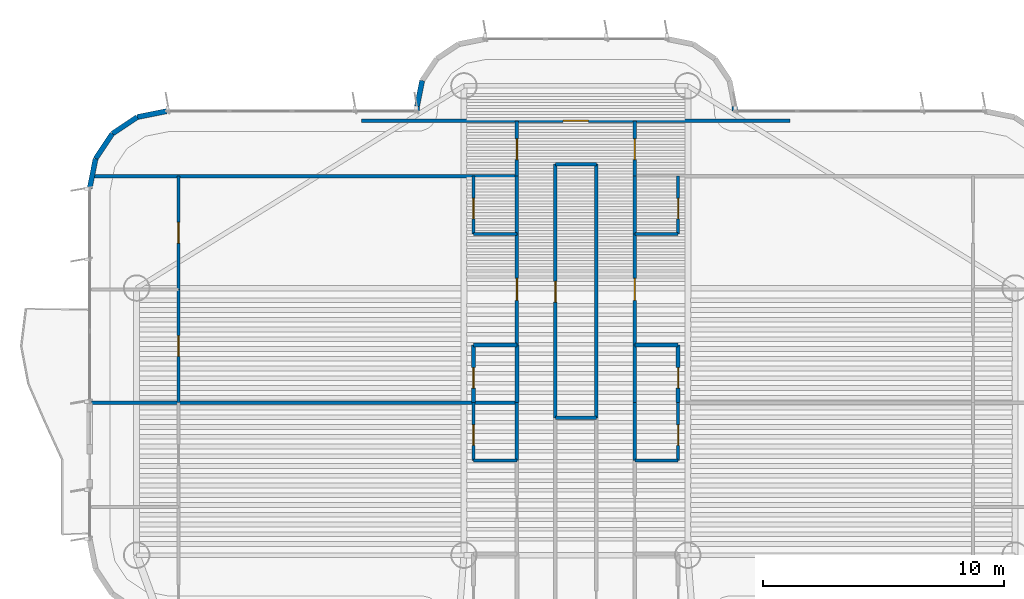
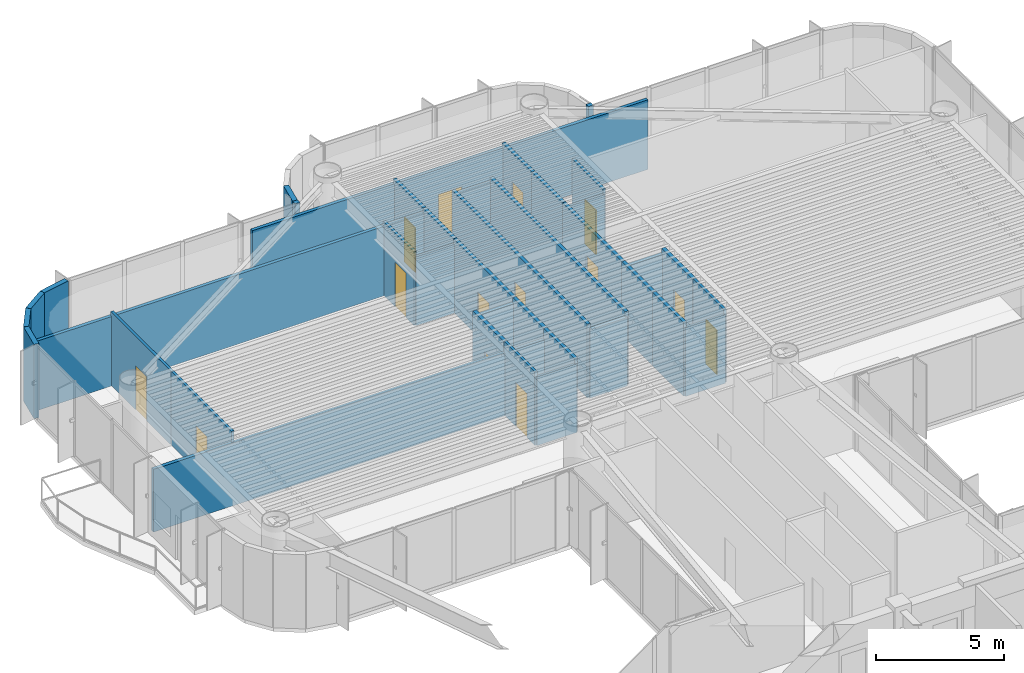
# One storey, part 11 of 15: 38 walls, 14 doors, 14 openings.
"""IFC4 building model written with IfcOpenShell, lengths in metres."""

from ifc_helpers import new_model, si_unit, direction, frame, frame_2d, origin, origin_2d, place, context, subcontext, project, spatial, rectangle, extrude, source, transform, mapped, material, layer, layer_set, type_object, element, fill, save


model = new_model("IFC4")

# Units and contexts
model_context = context("Model", 3, precision=1e-05, world=origin(), true_north=direction((0.0, 1.0)))
body_context = subcontext(model_context, "Body", "Model", "MODEL_VIEW")
ifc_project = project(units=[si_unit("LENGTHUNIT", "METRE"), si_unit("AREAUNIT", "SQUARE_METRE"), si_unit("VOLUMEUNIT", "CUBIC_METRE"), si_unit("PLANEANGLEUNIT", "RADIAN"), si_unit("MASSUNIT", "GRAM", prefix="KILO")], contexts=[model_context])

# Site, building, storey
site_placement = place(None, origin())
site = spatial("IfcSite", under=ifc_project, at=site_placement, CompositionType="ELEMENT")
building_placement = place(site_placement, origin())
building = spatial("IfcBuilding", under=site, at=building_placement, Name="Brelvock Crest Care Tower", CompositionType="ELEMENT")
storey_placement = place(building_placement, frame((0.0, 0.0, 163.97998046875)))
storey = spatial("IfcBuildingStorey", under=building, at=storey_placement, Name="L41", CompositionType="ELEMENT", Elevation=163.97998046875)

# Walls
ifc_material_1 = material(Name="Precast concrete N40 (40 MPa)", Category="concrete")
ifc_layer_1 = layer(ifc_material_1, 0.215087890625, Name="WL-EX2")
ifc_layer_set_1 = layer_set([ifc_layer_1], Name="Precast concrete N40 (40 MPa)")
wall_type_1 = type_object("IfcWallType", Name="WL-EX2", PredefinedType="SOLIDWALL", material=ifc_layer_set_1)
for number, where, z_axis, x_axis, name in (
    (1, (15.800048828125, 50.199951171875, 0.0), (0.0, 0.0, 1.0), (0.195138390419, 0.980775717779, 0.0), "L41 Rounded Corner Wall 18"),
    (2, (16.043701171875, 51.424560546875, 0.0), (0.0, 0.0, 1.0), (0.555557312883, 0.831478245117, 0.0), "L41 Rounded Corner Wall 19"),
    (3, (16.7373046875, 52.462646484375, 0.0), (0.0, 0.0, 1.0), (0.831387912822, 0.555692485475, 0.0), "L41 Rounded Corner Wall 20"),
    (4, (17.775390625, 53.156494140625, 0.0), (0.0, 0.0, 1.0), (0.980813122964, 0.194950295773, 0.0), "L41 Rounded Corner Wall 21"),
):
    element("IfcWall", number, at=place(storey_placement, frame(where, z_axis=z_axis, x_axis=x_axis)), inside=storey, type_object=wall_type_1, Name=name, PredefinedType="SOLIDWALL", context=body_context, shape_type="SweptSolid", body=[
        extrude(rectangle(XDim=1.24853515625, YDim=0.215087890625, at=frame_2d((0.624267578125, 0.0))), origin(), (0.0, 0.0, 1.0), 3.530029296875),
    ])
wall_1_placement = place(storey_placement, frame((29.39990234375, 53.39990234375, 0.0), z_axis=(0.0, 0.0, 1.0), x_axis=(0.0, 1.0, 0.0)))
element("IfcWall", 5, at=wall_1_placement, inside=storey, type_object=wall_type_1, Name="L41 Rounded Corner Wall 23", PredefinedType="SOLIDWALL", context=body_context, shape_type="SweptSolid", body=[
    extrude(rectangle(XDim=0.2001953125, YDim=0.215087890625, at=frame_2d((0.10009765625, 0.0))), origin(), (0.0, 0.0, 1.0), 3.530029296875),
])
wall_2_placement = place(storey_placement, frame((29.39990234375, 53.60009765625, 0.0), z_axis=(0.0, 0.0, 1.0), x_axis=(0.195127417394, 0.980777900945, 0.0)))
element("IfcWall", 6, at=wall_2_placement, inside=storey, type_object=wall_type_1, Name="L41 Rounded Corner Wall 24", PredefinedType="SOLIDWALL", context=body_context, shape_type="SweptSolid", body=[
    extrude(rectangle(XDim=1.09228515625, YDim=0.215087890625, at=frame_2d((0.546142578125, 0.0))), origin(), (0.0, 0.0, 1.0), 3.530029296875),
])
wall_3_placement = place(storey_placement, frame((42.60009765625, 53.60009765625, 0.0), z_axis=(0.0, 0.0, 1.0), x_axis=(0.0, -1.0, 0.0)))
element("IfcWall", 7, at=wall_3_placement, inside=storey, type_object=wall_type_1, Name="L41 Rounded Corner Wall 33", PredefinedType="SOLIDWALL", context=body_context, shape_type="SweptSolid", body=[
    extrude(rectangle(XDim=0.2001953125, YDim=0.215087890625, at=frame_2d((0.10009765625, 0.0))), origin(), (0.0, 0.0, 1.0), 3.530029296875),
])
ifc_material_2 = material(Name="Masonry Blockwork Acoustic Partition", Category="masonry")
ifc_layer_2 = layer(ifc_material_2, 0.14990234375, Name="WL-INT1")
ifc_layer_set_2 = layer_set([ifc_layer_2], Name="Masonry Blockwork Acoustic Partition")
wall_type_2 = type_object("IfcWallType", Name="WL-INT1", PredefinedType="PARTITIONING", material=ifc_layer_set_2)
wall_4_placement = place(storey_placement, frame((35.14990234375, 40.659912109375, 0.0), z_axis=(0.0, 0.0, 1.0), x_axis=(1.0, 0.0, 0.0)))
element("IfcWall", 8, at=wall_4_placement, inside=storey, type_object=wall_type_2, Name="L41 Interior Wall WL-BX-L41-ISKT-S", PredefinedType="PARTITIONING", context=body_context, shape_type="SweptSolid", body=[
    extrude(rectangle(XDim=1.7001953125, YDim=0.14990234375, at=frame_2d((0.85009765625, 0.0))), origin(), (0.0, 0.0, 1.0), 3.259033203125),
])
wall_5_placement = place(storey_placement, frame((15.8798828125, 41.2880859375, 0.0), z_axis=(0.0, 0.0, 1.0), x_axis=(1.0, 0.0, 0.0)))
element("IfcWall", 9, at=wall_5_placement, inside=storey, type_object=wall_type_2, Name="L41 Interior Wall WL-BX-L41-FL-WF1-N", PredefinedType="PARTITIONING", context=body_context, shape_type="SweptSolid", body=[
    extrude(rectangle(XDim=17.670166015625, YDim=0.14990234375, at=frame_2d((8.8349609375, 0.0))), origin(), (0.0, 0.0, 1.0), 2.98193359375),
])
wall_6_placement = place(storey_placement, frame((15.98095703125, 50.699951171875, 0.0), z_axis=(0.0, 0.0, 1.0), x_axis=(1.0, 0.0, 0.0)))
element("IfcWall", 10, at=wall_6_placement, inside=storey, type_object=wall_type_2, Name="L41 Interior Wall WL-BX-L41-FL-WF2-N", PredefinedType="PARTITIONING", context=body_context, shape_type="SweptSolid", body=[
    extrude(rectangle(XDim=17.569091796875, YDim=0.14990234375, at=frame_2d((8.78466796875, 0.0))), origin(), (0.0, 0.0, 1.0), 3.30810546875),
])
wall_7_placement = place(storey_placement, frame((35.14990234375, 51.199951171875, 0.0), z_axis=(0.0, 0.0, 1.0), x_axis=(1.0, 0.0, 0.0)))
element("IfcWall", 11, at=wall_7_placement, inside=storey, type_object=wall_type_2, Name="L41 Interior Wall WL-BX-L41-ISKT-N", PredefinedType="PARTITIONING", context=body_context, shape_type="SweptSolid", body=[
    extrude(rectangle(XDim=1.7001953125, YDim=0.14990234375, at=frame_2d((0.85009765625, 0.0))), origin(), (0.0, 0.0, 1.0), 3.30810546875),
])

# Wall, opening, door
wall_8_placement = place(storey_placement, frame((27.10009765625, 53.0, 0.0), z_axis=(0.0, 0.0, 1.0), x_axis=(1.0, 0.0, 0.0)))
wall_8 = element("IfcWall", 12, at=wall_8_placement, inside=storey, type_object=wall_type_2, Name="L41 Interior Wall WL-RM-L41-NHUB", PredefinedType="PARTITIONING", context=body_context, shape_type="SweptSolid", body=[
    extrude(rectangle(XDim=17.7998046875, YDim=0.14990234375, at=frame_2d((8.89990234375, 0.0))), origin(), (0.0, 0.0, 1.0), 3.30810546875),
])
opening_1_placement = place(wall_8_placement, frame((8.375, 0.0, 0.0)))
opening_1 = element("IfcOpeningElement", 13, at=opening_1_placement, cuts=wall_8, Name="Opening CLD-1", PredefinedType="OPENING", context=body_context, shape_type="SweptSolid", body=[
    extrude(rectangle(XDim=1.050048828125, YDim=2.10009765625, at=origin_2d()), frame((0.52490234375, 0.0849609375, 1.050048828125), z_axis=(0.0, -1.0, 0.0), x_axis=(1.0, 0.0, 0.0)), (0.0, 0.0, 1.0), 0.169921875),
])
ifc_material_3 = material(Name="Engineered Hardwood Timber", Category="wood")
door_type_1 = type_object("IfcDoorType", Name="DR-CLN1", OperationType="NOTDEFINED", PredefinedType="DOOR", material=ifc_material_3)
shared_shape_1 = source(origin(), body_context, "Body", "SweptSolid", [
    extrude(rectangle(XDim=1.050048828125, YDim=2.10009765625, at=origin_2d()), frame((0.52490234375, 0.02490234375, 1.050048828125), z_axis=(0.0, -1.0, 0.0), x_axis=(1.0, 0.0, 0.0)), (0.0, 0.0, 1.0), 0.050048828125),
])
door_1_placement = place(opening_1_placement, origin())
door_1 = element("IfcDoor", 14, at=door_1_placement, inside=storey, type_object=door_type_1, Name="L41 North Crest Conservatory Lounge Door NHUB", OperationType="SINGLE_SWING_LEFT", OverallHeight=2.10009765625, OverallWidth=1.050048828125, PredefinedType="DOOR", context=body_context, shape_type="MappedRepresentation", body=[
    mapped(shared_shape_1, transform((0.0, 0.0, 0.0), x_axis=(1.0, 0.0, 0.0), y_axis=(0.0, 1.0, 0.0), z_axis=(0.0, 0.0, 1.0), scale=1.0)),
])
fill(opening_1, door_1)

# Wall
wall_9_placement = place(storey_placement, frame((33.550048828125, 38.887939453125, 0.0), z_axis=(0.0, 0.0, 1.0), x_axis=(0.0, 1.0, 0.0)))
element("IfcWall", 15, at=wall_9_placement, inside=storey, type_object=wall_type_2, Name="L41 Interior Wall WL-UCK-L41-WF1", PredefinedType="PARTITIONING", context=body_context, shape_type="SweptSolid", body=[
    extrude(rectangle(XDim=2.400146484375, YDim=0.14990234375, at=frame_2d((1.2001953125, 0.0))), origin(), (0.0, 0.0, 1.0), 3.5),
])

# Wall, opening, door
wall_10_placement = place(storey_placement, frame((33.550048828125, 43.68798828125, 0.0), z_axis=(0.0, 0.0, 1.0), x_axis=(0.0, 1.0, 0.0)))
wall_10 = element("IfcWall", 16, at=wall_10_placement, inside=storey, type_object=wall_type_2, Name="L41 Interior Wall WL-UENT-L41-WF2", PredefinedType="PARTITIONING", context=body_context, shape_type="SweptSolid", body=[
    extrude(rectangle(XDim=4.612060546875, YDim=0.14990234375, at=frame_2d((2.30615234375, 0.0))), origin(), (0.0, 0.0, 1.0), 3.5),
])
opening_2_placement = place(wall_10_placement, frame((1.845947265625, 0.0, 0.0)))
opening_2 = element("IfcOpeningElement", 17, at=opening_2_placement, cuts=wall_10, Name="Opening AD-1", PredefinedType="OPENING", context=body_context, shape_type="SweptSolid", body=[
    extrude(rectangle(XDim=0.919921875, YDim=2.10009765625, at=origin_2d()), frame((0.4599609375, 0.0849609375, 1.050048828125), z_axis=(0.0, -1.0, 0.0), x_axis=(1.0, 0.0, 0.0)), (0.0, 0.0, 1.0), 0.169921875),
])
door_type_2 = type_object("IfcDoorType", Name="DR-APT1", OperationType="NOTDEFINED", PredefinedType="DOOR", material=ifc_material_3)
shared_shape_2 = source(origin(), body_context, "Body", "SweptSolid", [
    extrude(rectangle(XDim=0.919921875, YDim=2.10009765625, at=origin_2d()), frame((0.4599609375, 0.02490234375, 1.050048828125), z_axis=(0.0, -1.0, 0.0), x_axis=(1.0, 0.0, 0.0)), (0.0, 0.0, 1.0), 0.050048828125),
])
door_2_placement = place(opening_2_placement, origin())
door_2 = element("IfcDoor", 18, at=door_2_placement, inside=storey, type_object=door_type_2, Name="L41 Apartment Entrance WF2", OperationType="SINGLE_SWING_LEFT", OverallHeight=2.10009765625, OverallWidth=0.919921875, PredefinedType="DOOR", context=body_context, shape_type="MappedRepresentation", body=[
    mapped(shared_shape_2, transform((0.0, 0.0, 0.0), x_axis=(1.0, 0.0, 0.0), y_axis=(0.0, 1.0, 0.0), z_axis=(0.0, 0.0, 1.0), scale=1.0)),
])
fill(opening_2, door_2)

# Wall
wall_11_placement = place(storey_placement, frame((33.550048828125, 48.300048828125, 0.0), z_axis=(0.0, 0.0, 1.0), x_axis=(0.0, 1.0, 0.0)))
element("IfcWall", 19, at=wall_11_placement, inside=storey, type_object=wall_type_2, Name="L41 Interior Wall WL-UCK-L41-WF2", PredefinedType="PARTITIONING", context=body_context, shape_type="SweptSolid", body=[
    extrude(rectangle(XDim=2.39990234375, YDim=0.14990234375, at=frame_2d((1.199951171875, 0.0))), origin(), (0.0, 0.0, 1.0), 3.5),
])

# Wall, opening, door
wall_12_placement = place(storey_placement, frame((33.550048828125, 50.699951171875, 0.0), z_axis=(0.0, 0.0, 1.0), x_axis=(0.0, 1.0, 0.0)))
wall_12 = element("IfcWall", 20, at=wall_12_placement, inside=storey, type_object=wall_type_2, Name="L41 Interior Wall WL-RM-L41-NALW", PredefinedType="PARTITIONING", context=body_context, shape_type="SweptSolid", body=[
    extrude(rectangle(XDim=2.300048828125, YDim=0.14990234375, at=frame_2d((1.14990234375, 0.0))), origin(), (0.0, 0.0, 1.0), 3.5),
])
opening_3_placement = place(wall_12_placement, frame((0.68994140625, 0.0, 0.0)))
opening_3 = element("IfcOpeningElement", 21, at=opening_3_placement, cuts=wall_12, Name="Opening ID-1", PredefinedType="OPENING", context=body_context, shape_type="SweptSolid", body=[
    extrude(rectangle(XDim=0.860107421875, YDim=2.10009765625, at=origin_2d()), frame((0.43017578125, 0.0849609375, 1.050048828125), z_axis=(0.0, -1.0, 0.0), x_axis=(1.0, 0.0, 0.0)), (0.0, 0.0, 1.0), 0.169921875),
])
door_type_3 = type_object("IfcDoorType", Name="DR-INT1", OperationType="NOTDEFINED", PredefinedType="DOOR", material=ifc_material_3)
shared_shape_3 = source(origin(), body_context, "Body", "SweptSolid", [
    extrude(rectangle(XDim=0.860107421875, YDim=2.10009765625, at=origin_2d()), frame((0.43017578125, 0.02490234375, 1.050048828125), z_axis=(0.0, -1.0, 0.0), x_axis=(1.0, 0.0, 0.0)), (0.0, 0.0, 1.0), 0.050048828125),
])
door_3_placement = place(opening_3_placement, origin())
door_3 = element("IfcDoor", 22, at=door_3_placement, inside=storey, type_object=door_type_3, Name="L41 North West Sun Alcove Door NALW", OperationType="SINGLE_SWING_LEFT", OverallHeight=2.10009765625, OverallWidth=0.860107421875, PredefinedType="DOOR", context=body_context, shape_type="MappedRepresentation", body=[
    mapped(shared_shape_3, transform((0.0, 0.0, 0.0), x_axis=(1.0, 0.0, 0.0), y_axis=(0.0, 1.0, 0.0), z_axis=(0.0, 0.0, 1.0), scale=1.0)),
])
fill(opening_3, door_3)

wall_13_placement = place(storey_placement, frame((35.14990234375, 40.659912109375, 0.0), z_axis=(0.0, 0.0, 1.0), x_axis=(0.0, 1.0, 0.0)))
wall_13 = element("IfcWall", 23, at=wall_13_placement, inside=storey, type_object=wall_type_2, Name="L41 Interior Wall WL-RM-L41-ISKT", PredefinedType="PARTITIONING", context=body_context, shape_type="SweptSolid", body=[
    extrude(rectangle(XDim=10.5400390625, YDim=0.14990234375, at=frame_2d((5.27001953125, 0.0))), origin(), (0.0, 0.0, 1.0), 3.5),
])
opening_4_placement = place(wall_13_placement, frame((4.81005859375, 0.0, 0.0)))
opening_4 = element("IfcOpeningElement", 24, at=opening_4_placement, cuts=wall_13, Name="Opening ID-1", PredefinedType="OPENING", context=body_context, shape_type="SweptSolid", body=[
    extrude(rectangle(XDim=0.860107421875, YDim=2.10009765625, at=origin_2d()), frame((0.43017578125, 0.0849609375, 1.050048828125), z_axis=(0.0, -1.0, 0.0), x_axis=(1.0, 0.0, 0.0)), (0.0, 0.0, 1.0), 0.169921875),
])
door_4_placement = place(opening_4_placement, origin())
door_4 = element("IfcDoor", 25, at=door_4_placement, inside=storey, type_object=door_type_3, Name="L41 Communal Tea and Nutrition Pantry Door ISKT", OperationType="SINGLE_SWING_LEFT", OverallHeight=2.10009765625, OverallWidth=0.860107421875, PredefinedType="DOOR", context=body_context, shape_type="MappedRepresentation", body=[
    mapped(shared_shape_3, transform((0.0, 0.0, 0.0), x_axis=(1.0, 0.0, 0.0), y_axis=(0.0, 1.0, 0.0), z_axis=(0.0, 0.0, 1.0), scale=1.0)),
])
fill(opening_4, door_4)

# Walls
wall_14_placement = place(storey_placement, frame((36.85009765625, 40.659912109375, 0.0), z_axis=(0.0, 0.0, 1.0), x_axis=(0.0, 1.0, 0.0)))
element("IfcWall", 26, at=wall_14_placement, inside=storey, type_object=wall_type_2, Name="L41 Interior Wall WL-BX-L41-ISKT-E", PredefinedType="PARTITIONING", context=body_context, shape_type="SweptSolid", body=[
    extrude(rectangle(XDim=10.5400390625, YDim=0.14990234375, at=frame_2d((5.27001953125, 0.0))), origin(), (0.0, 0.0, 1.0), 3.5),
])
wall_15_placement = place(storey_placement, frame((38.449951171875, 38.887939453125, 0.0), z_axis=(0.0, 0.0, 1.0), x_axis=(0.0, 1.0, 0.0)))
element("IfcWall", 27, at=wall_15_placement, inside=storey, type_object=wall_type_2, Name="L41 Interior Wall WL-UCK-L41-EF1", PredefinedType="PARTITIONING", context=body_context, shape_type="SweptSolid", body=[
    extrude(rectangle(XDim=2.400146484375, YDim=0.14990234375, at=frame_2d((1.2001953125, 0.0))), origin(), (0.0, 0.0, 1.0), 3.5),
])

# Wall, opening, door
wall_16_placement = place(storey_placement, frame((38.449951171875, 43.68798828125, 0.0), z_axis=(0.0, 0.0, 1.0), x_axis=(0.0, 1.0, 0.0)))
wall_16 = element("IfcWall", 28, at=wall_16_placement, inside=storey, type_object=wall_type_2, Name="L41 Interior Wall WL-UENT-L41-EF2", PredefinedType="PARTITIONING", context=body_context, shape_type="SweptSolid", body=[
    extrude(rectangle(XDim=4.612060546875, YDim=0.14990234375, at=frame_2d((2.30615234375, 0.0))), origin(), (0.0, 0.0, 1.0), 3.5),
])
opening_5_placement = place(wall_16_placement, frame((1.845947265625, 0.0, 0.0)))
opening_5 = element("IfcOpeningElement", 29, at=opening_5_placement, cuts=wall_16, Name="Opening AD-1", PredefinedType="OPENING", context=body_context, shape_type="SweptSolid", body=[
    extrude(rectangle(XDim=0.919921875, YDim=2.10009765625, at=origin_2d()), frame((0.4599609375, 0.0849609375, 1.050048828125), z_axis=(0.0, -1.0, 0.0), x_axis=(1.0, 0.0, 0.0)), (0.0, 0.0, 1.0), 0.169921875),
])
door_5_placement = place(opening_5_placement, origin())
door_5 = element("IfcDoor", 30, at=door_5_placement, inside=storey, type_object=door_type_2, Name="L41 Apartment Entrance EF2", OperationType="SINGLE_SWING_LEFT", OverallHeight=2.10009765625, OverallWidth=0.919921875, PredefinedType="DOOR", context=body_context, shape_type="MappedRepresentation", body=[
    mapped(shared_shape_2, transform((0.0, 0.0, 0.0), x_axis=(1.0, 0.0, 0.0), y_axis=(0.0, 1.0, 0.0), z_axis=(0.0, 0.0, 1.0), scale=1.0)),
])
fill(opening_5, door_5)

# Wall
wall_17_placement = place(storey_placement, frame((38.449951171875, 48.300048828125, 0.0), z_axis=(0.0, 0.0, 1.0), x_axis=(0.0, 1.0, 0.0)))
element("IfcWall", 31, at=wall_17_placement, inside=storey, type_object=wall_type_2, Name="L41 Interior Wall WL-UCK-L41-EF2", PredefinedType="PARTITIONING", context=body_context, shape_type="SweptSolid", body=[
    extrude(rectangle(XDim=2.39990234375, YDim=0.14990234375, at=frame_2d((1.199951171875, 0.0))), origin(), (0.0, 0.0, 1.0), 3.5),
])

# Wall, opening, door
wall_18_placement = place(storey_placement, frame((38.449951171875, 50.699951171875, 0.0), z_axis=(0.0, 0.0, 1.0), x_axis=(0.0, 1.0, 0.0)))
wall_18 = element("IfcWall", 32, at=wall_18_placement, inside=storey, type_object=wall_type_2, Name="L41 Interior Wall WL-RM-L41-NALE", PredefinedType="PARTITIONING", context=body_context, shape_type="SweptSolid", body=[
    extrude(rectangle(XDim=2.300048828125, YDim=0.14990234375, at=frame_2d((1.14990234375, 0.0))), origin(), (0.0, 0.0, 1.0), 3.5),
])
opening_6_placement = place(wall_18_placement, frame((0.68994140625, 0.0, 0.0)))
opening_6 = element("IfcOpeningElement", 33, at=opening_6_placement, cuts=wall_18, Name="Opening ID-1", PredefinedType="OPENING", context=body_context, shape_type="SweptSolid", body=[
    extrude(rectangle(XDim=0.860107421875, YDim=2.10009765625, at=origin_2d()), frame((0.43017578125, 0.0849609375, 1.050048828125), z_axis=(0.0, -1.0, 0.0), x_axis=(1.0, 0.0, 0.0)), (0.0, 0.0, 1.0), 0.169921875),
])
door_6_placement = place(opening_6_placement, origin())
door_6 = element("IfcDoor", 34, at=door_6_placement, inside=storey, type_object=door_type_3, Name="L41 North East Tea Alcove Door NALE", OperationType="SINGLE_SWING_LEFT", OverallHeight=2.10009765625, OverallWidth=0.860107421875, PredefinedType="DOOR", context=body_context, shape_type="MappedRepresentation", body=[
    mapped(shared_shape_3, transform((0.0, 0.0, 0.0), x_axis=(1.0, 0.0, 0.0), y_axis=(0.0, 1.0, 0.0), z_axis=(0.0, 0.0, 1.0), scale=1.0)),
])
fill(opening_6, door_6)

# Walls
ifc_material_4 = material(Name="Gypsum Plasterboard Partition", Category="gypsum")
ifc_layer_3 = layer(ifc_material_4, 0.1201171875, Name="WL-INT2")
ifc_layer_set_3 = layer_set([ifc_layer_3], Name="Gypsum Plasterboard Partition")
wall_type_3 = type_object("IfcWallType", Name="WL-INT2", PredefinedType="PARTITIONING", material=ifc_layer_set_3)
for number, where, z_axis, x_axis, name in (
    (35, (31.75, 38.887939453125, 0.0), (0.0, 0.0, 1.0), (1.0, 0.0, 0.0), "L41 Interior Wall WL-UKIT2-L41-WF1"),
    (36, (38.449951171875, 38.887939453125, 0.0), (0.0, 0.0, 1.0), (1.0, 0.0, 0.0), "L41 Interior Wall WL-UKIT2-L41-EF1"),
    (37, (31.75, 48.300048828125, 0.0), (0.0, 0.0, 1.0), (1.0, 0.0, 0.0), "L41 Interior Wall WL-UKIT2-L41-WF2"),
    (38, (38.449951171875, 48.300048828125, 0.0), (0.0, 0.0, 1.0), (1.0, 0.0, 0.0), "L41 Interior Wall WL-UKIT2-L41-EF2"),
):
    element("IfcWall", number, at=place(storey_placement, frame(where, z_axis=z_axis, x_axis=x_axis)), inside=storey, type_object=wall_type_3, Name=name, PredefinedType="PARTITIONING", context=body_context, shape_type="SweptSolid", body=[
        extrude(rectangle(XDim=1.800048828125, YDim=0.1201171875, at=frame_2d((0.89990234375, 0.0))), origin(), (0.0, 0.0, 1.0), 3.259033203125),
    ])

# Wall, opening, door
wall_19_placement = place(storey_placement, frame((19.489990234375, 41.2880859375, 0.0), z_axis=(0.0, 0.0, 1.0), x_axis=(0.0, 1.0, 0.0)))
wall_19 = element("IfcWall", 39, at=wall_19_placement, inside=storey, type_object=wall_type_3, Name="L41 Interior Wall WL-UBD1-L41-WF2", PredefinedType="PARTITIONING", context=body_context, shape_type="SweptSolid", body=[
    extrude(rectangle(XDim=4.705810546875, YDim=0.1201171875, at=frame_2d((2.35302734375, 0.0))), origin(), (0.0, 0.0, 1.0), 3.5),
])
opening_7_placement = place(wall_19_placement, frame((1.923095703125, 0.0, 0.0)))
opening_7 = element("IfcOpeningElement", 40, at=opening_7_placement, cuts=wall_19, Name="Opening ID-1", PredefinedType="OPENING", context=body_context, shape_type="SweptSolid", body=[
    extrude(rectangle(XDim=0.860107421875, YDim=2.10009765625, at=origin_2d()), frame((0.43017578125, 0.070068359375, 1.050048828125), z_axis=(0.0, -1.0, 0.0), x_axis=(1.0, 0.0, 0.0)), (0.0, 0.0, 1.0), 0.14013671875),
])
door_7_placement = place(opening_7_placement, origin())
door_7 = element("IfcDoor", 41, at=door_7_placement, inside=storey, type_object=door_type_3, Name="L41 Primary Bedroom Door WF2", OperationType="SINGLE_SWING_RIGHT", OverallHeight=2.10009765625, OverallWidth=0.860107421875, PredefinedType="DOOR", context=body_context, shape_type="MappedRepresentation", body=[
    mapped(shared_shape_3, transform((0.0, 0.0, 0.0), x_axis=(1.0, 0.0, 0.0), y_axis=(0.0, 1.0, 0.0), z_axis=(0.0, 0.0, 1.0), scale=1.0)),
])
fill(opening_7, door_7)

wall_20_placement = place(storey_placement, frame((19.489990234375, 45.993896484375, 0.0), z_axis=(0.0, 0.0, 1.0), x_axis=(0.0, 1.0, 0.0)))
wall_20 = element("IfcWall", 42, at=wall_20_placement, inside=storey, type_object=wall_type_3, Name="L41 Interior Wall WL-UBD2-L41-WF2", PredefinedType="PARTITIONING", context=body_context, shape_type="SweptSolid", body=[
    extrude(rectangle(XDim=4.7060546875, YDim=0.1201171875, at=frame_2d((2.35302734375, 0.0))), origin(), (0.0, 0.0, 1.0), 3.5),
])
opening_8_placement = place(wall_20_placement, frame((1.923095703125, 0.0, 0.0)))
opening_8 = element("IfcOpeningElement", 43, at=opening_8_placement, cuts=wall_20, Name="Opening ID-1", PredefinedType="OPENING", context=body_context, shape_type="SweptSolid", body=[
    extrude(rectangle(XDim=0.860107421875, YDim=2.10009765625, at=origin_2d()), frame((0.43017578125, 0.070068359375, 1.050048828125), z_axis=(0.0, -1.0, 0.0), x_axis=(1.0, 0.0, 0.0)), (0.0, 0.0, 1.0), 0.14013671875),
])
door_8_placement = place(opening_8_placement, origin())
door_8 = element("IfcDoor", 44, at=door_8_placement, inside=storey, type_object=door_type_3, Name="L41 Second Room Door WF2", OperationType="SINGLE_SWING_LEFT", OverallHeight=2.10009765625, OverallWidth=0.860107421875, PredefinedType="DOOR", context=body_context, shape_type="MappedRepresentation", body=[
    mapped(shared_shape_3, transform((0.0, 0.0, 0.0), x_axis=(1.0, 0.0, 0.0), y_axis=(0.0, 1.0, 0.0), z_axis=(0.0, 0.0, 1.0), scale=1.0)),
])
fill(opening_8, door_8)

wall_21_placement = place(storey_placement, frame((31.75, 38.887939453125, 0.0), z_axis=(0.0, 0.0, 1.0), x_axis=(0.0, 1.0, 0.0)))
wall_21 = element("IfcWall", 45, at=wall_21_placement, inside=storey, type_object=wall_type_3, Name="L41 Interior Wall WL-UKIT1-L41-WF1", PredefinedType="PARTITIONING", context=body_context, shape_type="SweptSolid", body=[
    extrude(rectangle(XDim=2.400146484375, YDim=0.1201171875, at=frame_2d((1.2001953125, 0.0))), origin(), (0.0, 0.0, 1.0), 3.5),
])
opening_9_placement = place(wall_21_placement, frame((0.6201171875, 0.0, 0.0)))
opening_9 = element("IfcOpeningElement", 46, at=opening_9_placement, cuts=wall_21, Name="Opening ID-1", PredefinedType="OPENING", context=body_context, shape_type="SweptSolid", body=[
    extrude(rectangle(XDim=0.860107421875, YDim=2.10009765625, at=origin_2d()), frame((0.43017578125, 0.070068359375, 1.050048828125), z_axis=(0.0, -1.0, 0.0), x_axis=(1.0, 0.0, 0.0)), (0.0, 0.0, 1.0), 0.14013671875),
])
door_9_placement = place(opening_9_placement, origin())
door_9 = element("IfcDoor", 47, at=door_9_placement, inside=storey, type_object=door_type_3, Name="L41 Kitchen Door WF1", OperationType="SINGLE_SWING_LEFT", OverallHeight=2.10009765625, OverallWidth=0.860107421875, PredefinedType="DOOR", context=body_context, shape_type="MappedRepresentation", body=[
    mapped(shared_shape_3, transform((0.0, 0.0, 0.0), x_axis=(1.0, 0.0, 0.0), y_axis=(0.0, 1.0, 0.0), z_axis=(0.0, 0.0, 1.0), scale=1.0)),
])
fill(opening_9, door_9)

wall_22_placement = place(storey_placement, frame((31.75, 48.300048828125, 0.0), z_axis=(0.0, 0.0, 1.0), x_axis=(0.0, 1.0, 0.0)))
wall_22 = element("IfcWall", 48, at=wall_22_placement, inside=storey, type_object=wall_type_3, Name="L41 Interior Wall WL-UKIT1-L41-WF2", PredefinedType="PARTITIONING", context=body_context, shape_type="SweptSolid", body=[
    extrude(rectangle(XDim=2.39990234375, YDim=0.1201171875, at=frame_2d((1.199951171875, 0.0))), origin(), (0.0, 0.0, 1.0), 3.5),
])
opening_10_placement = place(wall_22_placement, frame((0.6201171875, 0.0, 0.0)))
opening_10 = element("IfcOpeningElement", 49, at=opening_10_placement, cuts=wall_22, Name="Opening ID-1", PredefinedType="OPENING", context=body_context, shape_type="SweptSolid", body=[
    extrude(rectangle(XDim=0.860107421875, YDim=2.10009765625, at=origin_2d()), frame((0.43017578125, 0.070068359375, 1.050048828125), z_axis=(0.0, -1.0, 0.0), x_axis=(1.0, 0.0, 0.0)), (0.0, 0.0, 1.0), 0.14013671875),
])
door_10_placement = place(opening_10_placement, origin())
door_10 = element("IfcDoor", 50, at=door_10_placement, inside=storey, type_object=door_type_3, Name="L41 Kitchen Door WF2", OperationType="SINGLE_SWING_LEFT", OverallHeight=2.10009765625, OverallWidth=0.860107421875, PredefinedType="DOOR", context=body_context, shape_type="MappedRepresentation", body=[
    mapped(shared_shape_3, transform((0.0, 0.0, 0.0), x_axis=(1.0, 0.0, 0.0), y_axis=(0.0, 1.0, 0.0), z_axis=(0.0, 0.0, 1.0), scale=1.0)),
])
fill(opening_10, door_10)

wall_23_placement = place(storey_placement, frame((40.25, 38.887939453125, 0.0), z_axis=(0.0, 0.0, 1.0), x_axis=(0.0, 1.0, 0.0)))
wall_23 = element("IfcWall", 51, at=wall_23_placement, inside=storey, type_object=wall_type_3, Name="L41 Interior Wall WL-UKIT1-L41-EF1", PredefinedType="PARTITIONING", context=body_context, shape_type="SweptSolid", body=[
    extrude(rectangle(XDim=2.400146484375, YDim=0.1201171875, at=frame_2d((1.2001953125, 0.0))), origin(), (0.0, 0.0, 1.0), 3.5),
])
opening_11_placement = place(wall_23_placement, frame((0.6201171875, 0.0, 0.0)))
opening_11 = element("IfcOpeningElement", 52, at=opening_11_placement, cuts=wall_23, Name="Opening ID-1", PredefinedType="OPENING", context=body_context, shape_type="SweptSolid", body=[
    extrude(rectangle(XDim=0.860107421875, YDim=2.10009765625, at=origin_2d()), frame((0.43017578125, 0.070068359375, 1.050048828125), z_axis=(0.0, -1.0, 0.0), x_axis=(1.0, 0.0, 0.0)), (0.0, 0.0, 1.0), 0.14013671875),
])
door_11_placement = place(opening_11_placement, origin())
door_11 = element("IfcDoor", 53, at=door_11_placement, inside=storey, type_object=door_type_3, Name="L41 Kitchen Door EF1", OperationType="SINGLE_SWING_RIGHT", OverallHeight=2.10009765625, OverallWidth=0.860107421875, PredefinedType="DOOR", context=body_context, shape_type="MappedRepresentation", body=[
    mapped(shared_shape_3, transform((0.0, 0.0, 0.0), x_axis=(1.0, 0.0, 0.0), y_axis=(0.0, 1.0, 0.0), z_axis=(0.0, 0.0, 1.0), scale=1.0)),
])
fill(opening_11, door_11)

wall_24_placement = place(storey_placement, frame((40.25, 48.300048828125, 0.0), z_axis=(0.0, 0.0, 1.0), x_axis=(0.0, 1.0, 0.0)))
wall_24 = element("IfcWall", 54, at=wall_24_placement, inside=storey, type_object=wall_type_3, Name="L41 Interior Wall WL-UKIT1-L41-EF2", PredefinedType="PARTITIONING", context=body_context, shape_type="SweptSolid", body=[
    extrude(rectangle(XDim=2.39990234375, YDim=0.1201171875, at=frame_2d((1.199951171875, 0.0))), origin(), (0.0, 0.0, 1.0), 3.5),
])
opening_12_placement = place(wall_24_placement, frame((0.6201171875, 0.0, 0.0)))
opening_12 = element("IfcOpeningElement", 55, at=opening_12_placement, cuts=wall_24, Name="Opening ID-1", PredefinedType="OPENING", context=body_context, shape_type="SweptSolid", body=[
    extrude(rectangle(XDim=0.860107421875, YDim=2.10009765625, at=origin_2d()), frame((0.43017578125, 0.070068359375, 1.050048828125), z_axis=(0.0, -1.0, 0.0), x_axis=(1.0, 0.0, 0.0)), (0.0, 0.0, 1.0), 0.14013671875),
])
door_12_placement = place(opening_12_placement, origin())
door_12 = element("IfcDoor", 56, at=door_12_placement, inside=storey, type_object=door_type_3, Name="L41 Kitchen Door EF2", OperationType="SINGLE_SWING_RIGHT", OverallHeight=2.10009765625, OverallWidth=0.860107421875, PredefinedType="DOOR", context=body_context, shape_type="MappedRepresentation", body=[
    mapped(shared_shape_3, transform((0.0, 0.0, 0.0), x_axis=(1.0, 0.0, 0.0), y_axis=(0.0, 1.0, 0.0), z_axis=(0.0, 0.0, 1.0), scale=1.0)),
])
fill(opening_12, door_12)

# Walls
ifc_layer_4 = layer(ifc_material_4, 0.159912109375, Name="WL-PLM1")
ifc_layer_set_4 = layer_set([ifc_layer_4], Name="Gypsum Plasterboard Partition")
wall_type_4 = type_object("IfcWallType", Name="WL-PLM1", PredefinedType="PLUMBINGWALL", material=ifc_layer_set_4)
for number, where, z_axis, x_axis, name in (
    (57, (31.75, 43.68798828125, 0.0), (0.0, 0.0, 1.0), (1.0, 0.0, 0.0), "L41 Interior Wall WL-UBTH2-L41-WF2"),
    (58, (38.449951171875, 43.68798828125, 0.0), (0.0, 0.0, 1.0), (1.0, 0.0, 0.0), "L41 Interior Wall WL-UBTH2-L41-EF2"),
):
    element("IfcWall", number, at=place(storey_placement, frame(where, z_axis=z_axis, x_axis=x_axis)), inside=storey, type_object=wall_type_4, Name=name, PredefinedType="PLUMBINGWALL", context=body_context, shape_type="SweptSolid", body=[
        extrude(rectangle(XDim=1.800048828125, YDim=0.159912109375, at=frame_2d((0.89990234375, 0.0))), origin(), (0.0, 0.0, 1.0), 3.259033203125),
    ])

# Wall, opening, door
wall_25_placement = place(storey_placement, frame((31.75, 41.2880859375, 0.0), z_axis=(0.0, 0.0, 1.0), x_axis=(0.0, 1.0, 0.0)))
wall_25 = element("IfcWall", 59, at=wall_25_placement, inside=storey, type_object=wall_type_4, Name="L41 Interior Wall WL-UBTH1-L41-WF2", PredefinedType="PLUMBINGWALL", context=body_context, shape_type="SweptSolid", body=[
    extrude(rectangle(XDim=2.39990234375, YDim=0.159912109375, at=frame_2d((1.199951171875, 0.0))), origin(), (0.0, 0.0, 1.0), 3.5),
])
opening_13_placement = place(wall_25_placement, frame((0.60009765625, 0.0, 0.0)))
opening_13 = element("IfcOpeningElement", 60, at=opening_13_placement, cuts=wall_25, Name="Opening WD-1", PredefinedType="OPENING", context=body_context, shape_type="SweptSolid", body=[
    extrude(rectangle(XDim=0.860107421875, YDim=2.10009765625, at=origin_2d()), frame((0.43017578125, 0.08984375, 1.050048828125), z_axis=(0.0, -1.0, 0.0), x_axis=(1.0, 0.0, 0.0)), (0.0, 0.0, 1.0), 0.179931640625),
])
door_type_4 = type_object("IfcDoorType", Name="DR-WC1", OperationType="NOTDEFINED", PredefinedType="DOOR", material=ifc_material_3)
shared_shape_4 = source(origin(), body_context, "Body", "SweptSolid", [
    extrude(rectangle(XDim=0.860107421875, YDim=2.10009765625, at=origin_2d()), frame((0.43017578125, 0.02490234375, 1.050048828125), z_axis=(0.0, -1.0, 0.0), x_axis=(1.0, 0.0, 0.0)), (0.0, 0.0, 1.0), 0.050048828125),
])
door_13_placement = place(opening_13_placement, origin())
door_13 = element("IfcDoor", 61, at=door_13_placement, inside=storey, type_object=door_type_4, Name="L41 Bathroom Door WF2", OperationType="SINGLE_SWING_LEFT", OverallHeight=2.10009765625, OverallWidth=0.860107421875, PredefinedType="DOOR", context=body_context, shape_type="MappedRepresentation", body=[
    mapped(shared_shape_4, transform((0.0, 0.0, 0.0), x_axis=(1.0, 0.0, 0.0), y_axis=(0.0, 1.0, 0.0), z_axis=(0.0, 0.0, 1.0), scale=1.0)),
])
fill(opening_13, door_13)

# Walls
for number, where, z_axis, x_axis, name in (
    (62, (33.550048828125, 41.2880859375, 0.0), (0.0, 0.0, 1.0), (0.0, 1.0, 0.0), "L41 Interior Wall WL-UCB-L41-WF2"),
    (63, (38.449951171875, 41.2880859375, 0.0), (0.0, 0.0, 1.0), (0.0, 1.0, 0.0), "L41 Interior Wall WL-UCB-L41-EF2"),
):
    element("IfcWall", number, at=place(storey_placement, frame(where, z_axis=z_axis, x_axis=x_axis)), inside=storey, type_object=wall_type_4, Name=name, PredefinedType="PLUMBINGWALL", context=body_context, shape_type="SweptSolid", body=[
        extrude(rectangle(XDim=2.39990234375, YDim=0.159912109375, at=frame_2d((1.199951171875, 0.0))), origin(), (0.0, 0.0, 1.0), 3.5),
    ])

# Wall, opening, door
wall_26_placement = place(storey_placement, frame((40.25, 41.2880859375, 0.0), z_axis=(0.0, 0.0, 1.0), x_axis=(0.0, 1.0, 0.0)))
wall_26 = element("IfcWall", 64, at=wall_26_placement, inside=storey, type_object=wall_type_4, Name="L41 Interior Wall WL-UBTH1-L41-EF2", PredefinedType="PLUMBINGWALL", context=body_context, shape_type="SweptSolid", body=[
    extrude(rectangle(XDim=2.39990234375, YDim=0.159912109375, at=frame_2d((1.199951171875, 0.0))), origin(), (0.0, 0.0, 1.0), 3.5),
])
opening_14_placement = place(wall_26_placement, frame((0.60009765625, 0.0, 0.0)))
opening_14 = element("IfcOpeningElement", 65, at=opening_14_placement, cuts=wall_26, Name="Opening WD-1", PredefinedType="OPENING", context=body_context, shape_type="SweptSolid", body=[
    extrude(rectangle(XDim=0.860107421875, YDim=2.10009765625, at=origin_2d()), frame((0.43017578125, 0.08984375, 1.050048828125), z_axis=(0.0, -1.0, 0.0), x_axis=(1.0, 0.0, 0.0)), (0.0, 0.0, 1.0), 0.179931640625),
])
door_14_placement = place(opening_14_placement, origin())
door_14 = element("IfcDoor", 66, at=door_14_placement, inside=storey, type_object=door_type_4, Name="L41 Bathroom Door EF2", OperationType="SINGLE_SWING_LEFT", OverallHeight=2.10009765625, OverallWidth=0.860107421875, PredefinedType="DOOR", context=body_context, shape_type="MappedRepresentation", body=[
    mapped(shared_shape_4, transform((0.0, 0.0, 0.0), x_axis=(1.0, 0.0, 0.0), y_axis=(0.0, 1.0, 0.0), z_axis=(0.0, 0.0, 1.0), scale=1.0)),
])
fill(opening_14, door_14)

save(model, "model.ifc")
